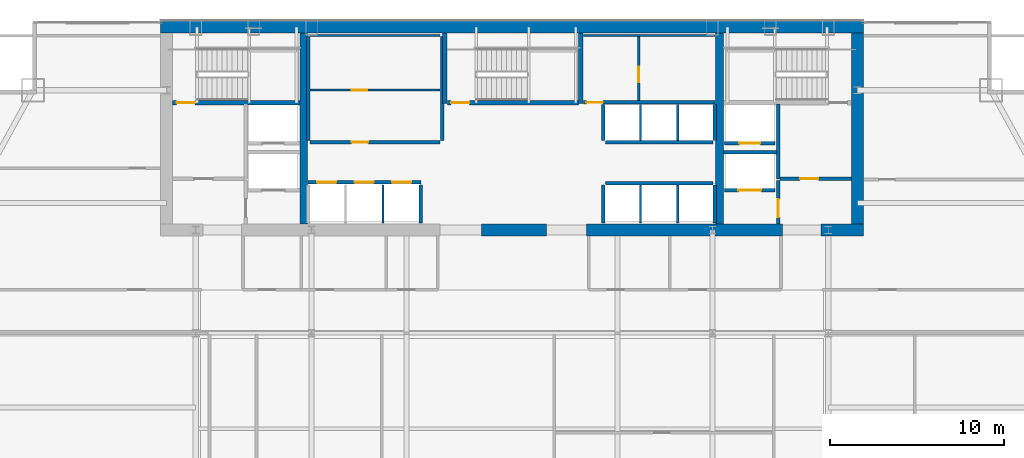
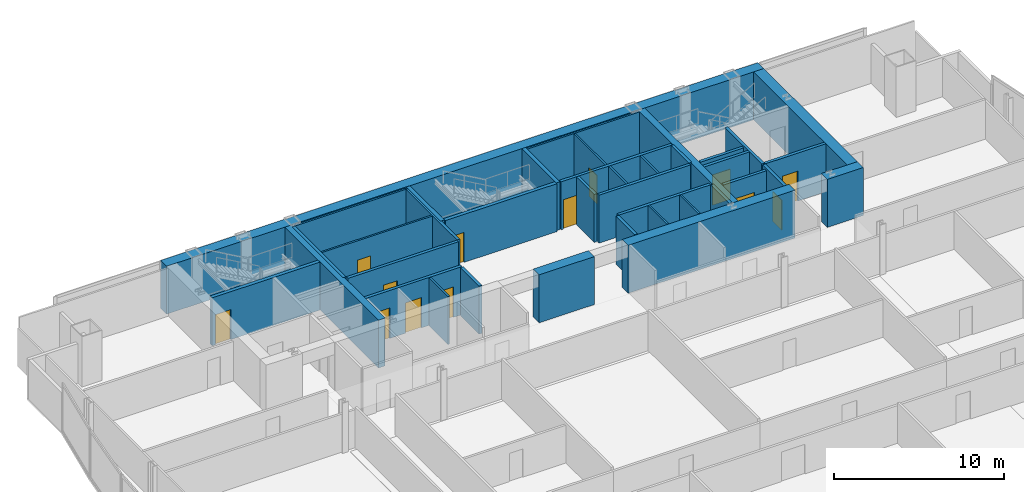
# One storey, part 26 of 29: 38 walls, 13 doors, 13 openings.
"""IFC4 building model written with IfcOpenShell, lengths in metres."""

from ifc_helpers import new_model, si_unit, direction, frame, frame_2d, origin, place, context, subcontext, project, spatial, rectangle, extrude, material, layer, layer_set, type_object, element, fill, save


model = new_model("IFC4")

# Units and contexts
model_context = context("Model", 3, precision=1e-05, world=origin(), true_north=direction((0.0, 1.0)))
body_context = subcontext(model_context, "Body", "Model", "MODEL_VIEW")
ifc_project = project(units=[si_unit("LENGTHUNIT", "METRE"), si_unit("AREAUNIT", "SQUARE_METRE"), si_unit("VOLUMEUNIT", "CUBIC_METRE"), si_unit("PLANEANGLEUNIT", "RADIAN"), si_unit("MASSUNIT", "GRAM", prefix="KILO")], contexts=[model_context])

# Site, building, storey
site_placement = place(None, origin())
site = spatial("IfcSite", under=ifc_project, at=site_placement, CompositionType="ELEMENT")
building_placement = place(site_placement, origin())
building = spatial("IfcBuilding", under=site, at=building_placement, Name="Khoronbel Lancet Exchange", CompositionType="ELEMENT")
storey_placement = place(building_placement, frame((0.0, 0.0, 154.199951171875)))
storey = spatial("IfcBuildingStorey", under=building, at=storey_placement, Name="L38", CompositionType="ELEMENT", Elevation=154.199951171875)

# Walls
ifc_material_1 = material(Name="Concrete C80/95", Category="concrete")
ifc_layer_1 = layer(ifc_material_1, 0.699951171875, Name="Concrete C80/95")
ifc_layer_set_1 = layer_set([ifc_layer_1], Name="Concrete C80/95")
wall_type_1 = type_object("IfcWallType", Name="WL-CW2", PredefinedType="SHEAR", material=ifc_layer_set_1)
wall_1_placement = place(storey_placement, frame((16.199951171875, 53.35009765625, 0.0), z_axis=(0.0, 0.0, 1.0), x_axis=(1.0, 0.0, 0.0)))
element("IfcWall", 1, at=wall_1_placement, inside=storey, type_object=wall_type_1, Name="Level L38 rear core north shear wall", PredefinedType="SHEAR", context=body_context, shape_type="SweptSolid", body=[
    extrude(rectangle(XDim=40.5, YDim=0.699951171875, at=frame_2d((20.25, 0.0))), origin(), (0.0, 0.0, 1.0), 3.43994140625),
])
wall_2_placement = place(storey_placement, frame((56.35009765625, 53.0, 0.0), z_axis=(0.0, 0.0, 1.0), x_axis=(0.0, -1.0, 0.0)))
element("IfcWall", 2, at=wall_2_placement, inside=storey, type_object=wall_type_1, Name="Level L38 rear core east shear wall", PredefinedType="SHEAR", context=body_context, shape_type="SweptSolid", body=[
    extrude(rectangle(XDim=11.0, YDim=0.699951171875, at=frame_2d((5.5, 0.0))), origin(), (0.0, 0.0, 1.0), 3.43994140625),
])
wall_3_placement = place(storey_placement, frame((38.449951171875, 41.64990234375, 0.0), z_axis=(0.0, 0.0, 1.0), x_axis=(-1.0, 0.0, 0.0)))
element("IfcWall", 3, at=wall_3_placement, inside=storey, type_object=wall_type_1, Name="Level L38 rear core south shear wall pier P3", PredefinedType="SHEAR", context=body_context, shape_type="SweptSolid", body=[
    extrude(rectangle(XDim=3.75, YDim=0.699951171875, at=frame_2d((1.875, 0.0))), origin(), (0.0, 0.0, 1.0), 3.43994140625),
])
wall_4_placement = place(storey_placement, frame((52.050048828125, 41.64990234375, 0.0), z_axis=(0.0, 0.0, 1.0), x_axis=(-1.0, 0.0, 0.0)))
element("IfcWall", 4, at=wall_4_placement, inside=storey, type_object=wall_type_1, Name="Level L38 rear core south shear wall pier P4", PredefinedType="SHEAR", context=body_context, shape_type="SweptSolid", body=[
    extrude(rectangle(XDim=11.300048828125, YDim=0.699951171875, at=frame_2d((5.64990234375, 0.0))), origin(), (0.0, 0.0, 1.0), 3.43994140625),
])
wall_5_placement = place(storey_placement, frame((56.699951171875, 41.64990234375, 0.0), z_axis=(0.0, 0.0, 1.0), x_axis=(-1.0, 0.0, 0.0)))
element("IfcWall", 5, at=wall_5_placement, inside=storey, type_object=wall_type_1, Name="Level L38 rear core south shear wall pier P5", PredefinedType="SHEAR", context=body_context, shape_type="SweptSolid", body=[
    extrude(rectangle(XDim=2.449951171875, YDim=0.699951171875, at=frame_2d((1.22509765625, 0.0))), origin(), (0.0, 0.0, 1.0), 3.43994140625),
])
ifc_material_2 = material(Name="Fire-Rated Metal-Stud & Mineral-Wool Gypsum Partition 120 mm", Category="gypsum")
ifc_layer_2 = layer(ifc_material_2, 0.1201171875, Name="Fire-Rated Metal-Stud & Mineral-Wool Gypsum Partition 120 mm")
ifc_layer_set_2 = layer_set([ifc_layer_2], Name="Fire-Rated Metal-Stud & Mineral-Wool Gypsum Partition 120 mm")
wall_type_2 = type_object("IfcWallType", Name="WL-PRT120F", PredefinedType="PARTITIONING", material=ifc_layer_set_2)
wall_6_placement = place(storey_placement, frame((24.804931640625, 52.860107421875, 0.0), z_axis=(0.0, 0.0, 1.0), x_axis=(1.0, 0.0, 0.0)))
element("IfcWall", 6, at=wall_6_placement, inside=storey, type_object=wall_type_2, Name="Level L38 interior partition CW-PL-RN", PredefinedType="PARTITIONING", context=body_context, shape_type="SweptSolid", body=[
    extrude(rectangle(XDim=7.510009765625, YDim=0.1201171875, at=frame_2d((3.7548828125, 0.0))), origin(), (0.0, 0.0, 1.0), 3.43994140625),
])

# Wall, opening, door
wall_7_placement = place(storey_placement, frame((24.804931640625, 49.708740234375, 0.0), z_axis=(0.0, 0.0, 1.0), x_axis=(1.0, 0.0, 0.0)))
wall_7 = element("IfcWall", 7, at=wall_7_placement, inside=storey, type_object=wall_type_2, Name="Level L38 interior partition CW-PL-RH", PredefinedType="PARTITIONING", context=body_context, shape_type="SweptSolid", body=[
    extrude(rectangle(XDim=7.510009765625, YDim=0.1201171875, at=frame_2d((3.7548828125, 0.0))), origin(), (0.0, 0.0, 1.0), 3.43994140625),
])
opening_1_placement = place(wall_7_placement, frame((2.39990234375, 0.0, 0.0)))
opening_1 = element("IfcOpeningElement", 8, at=opening_1_placement, cuts=wall_7, Name="Opening FD4", PredefinedType="OPENING", context=body_context, shape_type="SweptSolid", body=[
    extrude(rectangle(XDim=0.89990234375, YDim=2.050048828125, at=frame_2d((0.449951171875, 1.02490234375))), frame((0.0, 0.070068359375, 0.0), z_axis=(0.0, -1.0, 0.0), x_axis=(1.0, 0.0, 0.0)), (0.0, 0.0, 1.0), 0.14013671875),
])
ifc_material_3 = material(Name="Fire-Rated Steel Core Support Door Assembly", Category="steel")
door_type_1 = type_object("IfcDoorType", Name="DR-FD4", OperationType="NOTDEFINED", PredefinedType="DOOR", material=ifc_material_3)
door_1_placement = place(opening_1_placement, origin())
door_1 = element("IfcDoor", 9, at=door_1_placement, inside=storey, type_object=door_type_1, Name="Core PL inner store door L38-1", OperationType="SINGLE_SWING_LEFT", OverallHeight=2.050048828125, OverallWidth=0.89990234375, PredefinedType="DOOR", context=body_context, shape_type="SweptSolid", body=[
    extrude(rectangle(XDim=0.89990234375, YDim=2.050048828125, at=frame_2d((0.449951171875, 1.02490234375))), frame((0.0, 0.02490234375, 0.0), z_axis=(0.0, -1.0, 0.0), x_axis=(1.0, 0.0, 0.0)), (0.0, 0.0, 1.0), 0.050048828125),
])
fill(opening_1, door_1)

# Walls
wall_8_placement = place(storey_placement, frame((29.02001953125, 42.050048828125, 0.0), z_axis=(0.0, 0.0, 1.0), x_axis=(0.0, 1.0, 0.0)))
element("IfcWall", 10, at=wall_8_placement, inside=storey, type_object=wall_type_2, Name="Level L38 interior partition CW-PM-D2", PredefinedType="PARTITIONING", context=body_context, shape_type="SweptSolid", body=[
    extrude(rectangle(XDim=2.199951171875, YDim=0.1201171875, at=frame_2d((1.10009765625, 0.0))), origin(), (0.0, 0.0, 1.0), 3.43994140625),
])
for number, where, z_axis, x_axis, name in (
    (11, (43.860107421875, 46.804931640625, 0.0), (0.0, 0.0, 1.0), (0.0, 1.0, 0.0), "Level L38 interior partition CW-PH-D1"),
    (12, (46.0, 46.804931640625, 0.0), (0.0, 0.0, 1.0), (0.0, 1.0, 0.0), "Level L38 interior partition CW-PH-D2"),
):
    element("IfcWall", number, at=place(storey_placement, frame(where, z_axis=z_axis, x_axis=x_axis)), inside=storey, type_object=wall_type_2, Name=name, PredefinedType="PARTITIONING", context=body_context, shape_type="SweptSolid", body=[
        extrude(rectangle(XDim=2.090087890625, YDim=0.1201171875, at=frame_2d((1.044921875, 0.0))), origin(), (0.0, 0.0, 1.0), 3.43994140625),
    ])
for number, where, z_axis, x_axis, name in (
    (13, (43.860107421875, 42.050048828125, 0.0), (0.0, 0.0, 1.0), (0.0, 1.0, 0.0), "Level L38 interior partition CW-PX-D1"),
    (14, (46.0, 42.050048828125, 0.0), (0.0, 0.0, 1.0), (0.0, 1.0, 0.0), "Level L38 interior partition CW-PX-D2"),
):
    element("IfcWall", number, at=place(storey_placement, frame(where, z_axis=z_axis, x_axis=x_axis)), inside=storey, type_object=wall_type_2, Name=name, PredefinedType="PARTITIONING", context=body_context, shape_type="SweptSolid", body=[
        extrude(rectangle(XDim=2.195068359375, YDim=0.1201171875, at=frame_2d((1.09765625, 0.0))), origin(), (0.0, 0.0, 1.0), 3.43994140625),
    ])
wall_9_placement = place(storey_placement, frame((40.580078125, 52.860107421875, 0.0), z_axis=(0.0, 0.0, 1.0), x_axis=(1.0, 0.0, 0.0)))
element("IfcWall", 15, at=wall_9_placement, inside=storey, type_object=wall_type_2, Name="Level L38 interior partition CW-SUP-NE-N", PredefinedType="PARTITIONING", context=body_context, shape_type="SweptSolid", body=[
    extrude(rectangle(XDim=7.559814453125, YDim=0.1201171875, at=frame_2d((3.77978515625, 0.0))), origin(), (0.0, 0.0, 1.0), 3.43994140625),
])

# Wall, opening, door
wall_10_placement = place(storey_placement, frame((43.755126953125, 49.10498046875, 0.0), z_axis=(0.0, 0.0, 1.0), x_axis=(0.0, 1.0, 0.0)))
wall_10 = element("IfcWall", 16, at=wall_10_placement, inside=storey, type_object=wall_type_2, Name="Level L38 interior partition CW-SUP-NE-M", PredefinedType="PARTITIONING", context=body_context, shape_type="SweptSolid", body=[
    extrude(rectangle(XDim=3.68994140625, YDim=0.1201171875, at=frame_2d((1.844970703125, 0.0))), origin(), (0.0, 0.0, 1.0), 3.43994140625),
])
opening_2_placement = place(wall_10_placement, frame((1.050048828125, 0.0, 0.0)))
opening_2 = element("IfcOpeningElement", 17, at=opening_2_placement, cuts=wall_10, Name="Opening FD4", PredefinedType="OPENING", context=body_context, shape_type="SweptSolid", body=[
    extrude(rectangle(XDim=0.89990234375, YDim=2.050048828125, at=frame_2d((0.449951171875, 1.02490234375))), frame((0.0, 0.070068359375, 0.0), z_axis=(0.0, -1.0, 0.0), x_axis=(1.0, 0.0, 0.0)), (0.0, 0.0, 1.0), 0.14013671875),
])
door_2_placement = place(opening_2_placement, origin())
door_2 = element("IfcDoor", 18, at=door_2_placement, inside=storey, type_object=door_type_1, Name="Core NE inner support door L38-1", OperationType="SINGLE_SWING_RIGHT", OverallHeight=2.050048828125, OverallWidth=0.89990234375, PredefinedType="DOOR", context=body_context, shape_type="SweptSolid", body=[
    extrude(rectangle(XDim=0.89990234375, YDim=2.050048828125, at=frame_2d((0.449951171875, 1.02490234375))), frame((0.0, 0.02490234375, 0.0), z_axis=(0.0, -1.0, 0.0), x_axis=(1.0, 0.0, 0.0)), (0.0, 0.0, 1.0), 0.050048828125),
])
fill(opening_2, door_2)

# Wall, openings, doors
ifc_material_4 = material(Name="Autoclaved Aerated Concrete Blockwork 200 mm", Category="masonry")
ifc_layer_3 = layer(ifc_material_4, 0.199951171875, Name="Autoclaved Aerated Concrete Blockwork 200 mm")
ifc_layer_set_3 = layer_set([ifc_layer_3], Name="Autoclaved Aerated Concrete Blockwork 200 mm")
wall_type_3 = type_object("IfcWallType", Name="WL-PRT200", PredefinedType="PARTITIONING", material=ifc_layer_set_3)
wall_11_placement = place(storey_placement, frame((24.68994140625, 44.39990234375, 0.0), z_axis=(0.0, 0.0, 1.0), x_axis=(1.0, 0.0, 0.0)))
wall_11 = element("IfcWall", 19, at=wall_11_placement, inside=storey, type_object=wall_type_3, Name="Level L38 elevator hoistway landing front wall PMW", PredefinedType="PARTITIONING", context=body_context, shape_type="SweptSolid", body=[
    extrude(rectangle(XDim=6.530029296875, YDim=0.199951171875, at=frame_2d((3.26513671875, 0.0))), origin(), (0.0, 0.0, 1.0), 3.43994140625),
])
opening_3_placement = place(wall_11_placement, frame((0.530029296875, 0.0, 0.0)))
opening_3 = element("IfcOpeningElement", 20, at=opening_3_placement, cuts=wall_11, Name="Opening LD-PM1", PredefinedType="OPENING", context=body_context, shape_type="SweptSolid", body=[
    extrude(rectangle(XDim=1.10009765625, YDim=2.179931640625, at=frame_2d((0.550048828125, 1.08984375))), frame((0.0, 0.10986328125, 0.0), z_axis=(0.0, -1.0, 0.0), x_axis=(1.0, 0.0, 0.0)), (0.0, 0.0, 1.0), 0.219970703125),
])
opening_4_placement = place(wall_11_placement, frame((2.68994140625, 0.0, 0.0)))
opening_4 = element("IfcOpeningElement", 21, at=opening_4_placement, cuts=wall_11, Name="Opening LD-PM2", PredefinedType="OPENING", context=body_context, shape_type="SweptSolid", body=[
    extrude(rectangle(XDim=1.10009765625, YDim=2.179931640625, at=frame_2d((0.550048828125, 1.08984375))), frame((0.0, 0.10986328125, 0.0), z_axis=(0.0, -1.0, 0.0), x_axis=(1.0, 0.0, 0.0)), (0.0, 0.0, 1.0), 0.219970703125),
])
opening_5_placement = place(wall_11_placement, frame((4.85009765625, 0.0, 0.0)))
opening_5 = element("IfcOpeningElement", 22, at=opening_5_placement, cuts=wall_11, Name="Opening LD-PM3", PredefinedType="OPENING", context=body_context, shape_type="SweptSolid", body=[
    extrude(rectangle(XDim=1.10009765625, YDim=2.179931640625, at=frame_2d((0.550048828125, 1.08984375))), frame((0.0, 0.10986328125, 0.0), z_axis=(0.0, -1.0, 0.0), x_axis=(1.0, 0.0, 0.0)), (0.0, 0.0, 1.0), 0.219970703125),
])
ifc_material_5 = material(Name="Brushed Bronze Bi-Parting Elevator Landing Door", Category="steel")
door_type_2 = type_object("IfcDoorType", Name="DR-LD-PAX", OperationType="NOTDEFINED", PredefinedType="DOOR", material=ifc_material_5)
door_3_placement = place(opening_3_placement, origin())
door_3 = element("IfcDoor", 23, at=door_3_placement, inside=storey, type_object=door_type_2, Name="Elevator landing sliding door LD-PM1 L38", OperationType="SLIDING_TO_LEFT", OverallHeight=2.179931640625, OverallWidth=1.10009765625, PredefinedType="DOOR", context=body_context, shape_type="SweptSolid", body=[
    extrude(rectangle(XDim=1.10009765625, YDim=2.179931640625, at=frame_2d((0.550048828125, 1.08984375))), frame((0.0, 0.02490234375, 0.0), z_axis=(0.0, -1.0, 0.0), x_axis=(1.0, 0.0, 0.0)), (0.0, 0.0, 1.0), 0.050048828125),
])
fill(opening_3, door_3)
door_4_placement = place(opening_4_placement, origin())
door_4 = element("IfcDoor", 24, at=door_4_placement, inside=storey, type_object=door_type_2, Name="Elevator landing sliding door LD-PM2 L38", OperationType="SLIDING_TO_LEFT", OverallHeight=2.179931640625, OverallWidth=1.10009765625, PredefinedType="DOOR", context=body_context, shape_type="SweptSolid", body=[
    extrude(rectangle(XDim=1.10009765625, YDim=2.179931640625, at=frame_2d((0.550048828125, 1.08984375))), frame((0.0, 0.02490234375, 0.0), z_axis=(0.0, -1.0, 0.0), x_axis=(1.0, 0.0, 0.0)), (0.0, 0.0, 1.0), 0.050048828125),
])
fill(opening_4, door_4)
door_5_placement = place(opening_5_placement, origin())
door_5 = element("IfcDoor", 25, at=door_5_placement, inside=storey, type_object=door_type_2, Name="Elevator landing sliding door LD-PM3 L38", OperationType="SLIDING_TO_LEFT", OverallHeight=2.179931640625, OverallWidth=1.10009765625, PredefinedType="DOOR", context=body_context, shape_type="SweptSolid", body=[
    extrude(rectangle(XDim=1.10009765625, YDim=2.179931640625, at=frame_2d((0.550048828125, 1.08984375))), frame((0.0, 0.02490234375, 0.0), z_axis=(0.0, -1.0, 0.0), x_axis=(1.0, 0.0, 0.0)), (0.0, 0.0, 1.0), 0.050048828125),
])
fill(opening_5, door_5)

# Wall, opening, door
wall_12_placement = place(storey_placement, frame((51.610107421875, 43.949951171875, 0.0), z_axis=(0.0, 0.0, 1.0), x_axis=(-1.0, 0.0, 0.0)))
wall_12 = element("IfcWall", 26, at=wall_12_placement, inside=storey, type_object=wall_type_3, Name="Level L38 elevator hoistway landing front wall SVLE", PredefinedType="PARTITIONING", context=body_context, shape_type="SweptSolid", body=[
    extrude(rectangle(XDim=2.920166015625, YDim=0.199951171875, at=frame_2d((1.4599609375, 0.0))), origin(), (0.0, 0.0, 1.0), 3.43994140625),
])
opening_6_placement = place(wall_12_placement, frame((0.81005859375, 0.0, 0.0)))
opening_6 = element("IfcOpeningElement", 27, at=opening_6_placement, cuts=wall_12, Name="Opening LD-SVL2", PredefinedType="OPENING", context=body_context, shape_type="SweptSolid", body=[
    extrude(rectangle(XDim=1.300048828125, YDim=2.179931640625, at=frame_2d((0.64990234375, 1.08984375))), frame((0.0, 0.10986328125, 0.0), z_axis=(0.0, -1.0, 0.0), x_axis=(1.0, 0.0, 0.0)), (0.0, 0.0, 1.0), 0.219970703125),
])
ifc_material_6 = material(Name="Heavy-Duty Bi-Parting Goods Lift Landing Door", Category="steel")
door_type_3 = type_object("IfcDoorType", Name="DR-LD-SVL", OperationType="NOTDEFINED", PredefinedType="DOOR", material=ifc_material_6)
door_6_placement = place(opening_6_placement, origin())
door_6 = element("IfcDoor", 28, at=door_6_placement, inside=storey, type_object=door_type_3, Name="Elevator landing sliding door LD-SVL2 L38", OperationType="SLIDING_TO_LEFT", OverallHeight=2.179931640625, OverallWidth=1.300048828125, PredefinedType="DOOR", context=body_context, shape_type="SweptSolid", body=[
    extrude(rectangle(XDim=1.300048828125, YDim=2.179931640625, at=frame_2d((0.64990234375, 1.08984375))), frame((0.0, 0.02490234375, 0.0), z_axis=(0.0, -1.0, 0.0), x_axis=(1.0, 0.0, 0.0)), (0.0, 0.0, 1.0), 0.050048828125),
])
fill(opening_6, door_6)

wall_13_placement = place(storey_placement, frame((51.610107421875, 46.64990234375, 0.0), z_axis=(0.0, 0.0, 1.0), x_axis=(-1.0, 0.0, 0.0)))
wall_13 = element("IfcWall", 29, at=wall_13_placement, inside=storey, type_object=wall_type_3, Name="Level L38 elevator hoistway landing front wall FFLE", PredefinedType="PARTITIONING", context=body_context, shape_type="SweptSolid", body=[
    extrude(rectangle(XDim=2.920166015625, YDim=0.199951171875, at=frame_2d((1.4599609375, 0.0))), origin(), (0.0, 0.0, 1.0), 3.43994140625),
])
opening_7_placement = place(wall_13_placement, frame((0.860107421875, 0.0, 0.0)))
opening_7 = element("IfcOpeningElement", 30, at=opening_7_placement, cuts=wall_13, Name="Opening LD-FFL2", PredefinedType="OPENING", context=body_context, shape_type="SweptSolid", body=[
    extrude(rectangle(XDim=1.199951171875, YDim=2.179931640625, at=frame_2d((0.60009765625, 1.08984375))), frame((0.0, 0.10986328125, 0.0), z_axis=(0.0, -1.0, 0.0), x_axis=(1.0, 0.0, 0.0)), (0.0, 0.0, 1.0), 0.219970703125),
])
ifc_material_7 = material(Name="Fire-Rated Stainless Bi-Parting Firefighting Lift Door", Category="steel")
door_type_4 = type_object("IfcDoorType", Name="DR-LD-FFL", OperationType="NOTDEFINED", PredefinedType="DOOR", material=ifc_material_7)
door_7_placement = place(opening_7_placement, origin())
door_7 = element("IfcDoor", 31, at=door_7_placement, inside=storey, type_object=door_type_4, Name="Elevator landing sliding door LD-FFL2 L38", OperationType="SLIDING_TO_LEFT", OverallHeight=2.179931640625, OverallWidth=1.199951171875, PredefinedType="DOOR", context=body_context, shape_type="SweptSolid", body=[
    extrude(rectangle(XDim=1.199951171875, YDim=2.179931640625, at=frame_2d((0.60009765625, 1.08984375))), frame((0.0, 0.02490234375, 0.0), z_axis=(0.0, -1.0, 0.0), x_axis=(1.0, 0.0, 0.0)), (0.0, 0.0, 1.0), 0.050048828125),
])
fill(opening_7, door_7)

# Wall
wall_14_placement = place(storey_placement, frame((51.800048828125, 44.60009765625, 0.0), z_axis=(0.0, 0.0, 1.0), x_axis=(0.0, 1.0, 0.0)))
element("IfcWall", 32, at=wall_14_placement, inside=storey, type_object=wall_type_3, Name="Level L38 interior partition CW-FFLE-W", PredefinedType="PARTITIONING", context=body_context, shape_type="SweptSolid", body=[
    extrude(rectangle(XDim=4.2998046875, YDim=0.199951171875, at=frame_2d((2.14990234375, 0.0))), origin(), (0.0, 0.0, 1.0), 3.43994140625),
])

# Wall, opening, door
wall_15_placement = place(storey_placement, frame((51.89990234375, 44.60009765625, 0.0), z_axis=(0.0, 0.0, 1.0), x_axis=(1.0, 0.0, 0.0)))
wall_15 = element("IfcWall", 33, at=wall_15_placement, inside=storey, type_object=wall_type_3, Name="Level L38 interior partition CW-FFLE-S", PredefinedType="PARTITIONING", context=body_context, shape_type="SweptSolid", body=[
    extrude(rectangle(XDim=4.10009765625, YDim=0.199951171875, at=frame_2d((2.050048828125, 0.0))), origin(), (0.0, 0.0, 1.0), 3.43994140625),
])
opening_8_placement = place(wall_15_placement, frame((1.14990234375, 0.0, 0.0)))
opening_8 = element("IfcOpeningElement", 34, at=opening_8_placement, cuts=wall_15, Name="Opening FD1", PredefinedType="OPENING", context=body_context, shape_type="SweptSolid", body=[
    extrude(rectangle(XDim=1.050048828125, YDim=2.14990234375, at=frame_2d((0.52490234375, 1.074951171875))), frame((0.0, 0.10986328125, 0.0), z_axis=(0.0, -1.0, 0.0), x_axis=(1.0, 0.0, 0.0)), (0.0, 0.0, 1.0), 0.219970703125),
])
ifc_material_8 = material(Name="Fire-Rated Painted Steel Door Assembly", Category="steel")
door_type_5 = type_object("IfcDoorType", Name="DR-FD1", OperationType="NOTDEFINED", PredefinedType="DOOR", material=ifc_material_8)
door_8_placement = place(opening_8_placement, origin())
door_8 = element("IfcDoor", 35, at=door_8_placement, inside=storey, type_object=door_type_5, Name="East firefighting lobby FD90S door L38-1", OperationType="SINGLE_SWING_LEFT", OverallHeight=2.14990234375, OverallWidth=1.050048828125, PredefinedType="DOOR", context=body_context, shape_type="SweptSolid", body=[
    extrude(rectangle(XDim=1.050048828125, YDim=2.14990234375, at=frame_2d((0.52490234375, 1.074951171875))), frame((0.0, 0.02490234375, 0.0), z_axis=(0.0, -1.0, 0.0), x_axis=(1.0, 0.0, 0.0)), (0.0, 0.0, 1.0), 0.050048828125),
])
fill(opening_8, door_8)

# Wall
wall_16_placement = place(storey_placement, frame((48.6298828125, 46.1201171875, 0.0), z_axis=(0.0, 0.0, 1.0), x_axis=(1.0, 0.0, 0.0)))
element("IfcWall", 36, at=wall_16_placement, inside=storey, type_object=wall_type_3, Name="Level L38 interior partition CW-FFL2-S", PredefinedType="PARTITIONING", context=body_context, shape_type="SweptSolid", body=[
    extrude(rectangle(XDim=3.070068359375, YDim=0.199951171875, at=frame_2d((1.53515625, 0.0))), origin(), (0.0, 0.0, 1.0), 3.43994140625),
])

# Wall, opening, door
wall_17_placement = place(storey_placement, frame((51.800048828125, 42.0, 0.0), z_axis=(0.0, 0.0, 1.0), x_axis=(0.0, 1.0, 0.0)))
wall_17 = element("IfcWall", 37, at=wall_17_placement, inside=storey, type_object=wall_type_3, Name="Level L38 interior partition CW-SVLE-E", PredefinedType="PARTITIONING", context=body_context, shape_type="SweptSolid", body=[
    extrude(rectangle(XDim=2.4951171875, YDim=0.199951171875, at=frame_2d((1.24755859375, 0.0))), origin(), (0.0, 0.0, 1.0), 3.43994140625),
])
opening_9_placement = place(wall_17_placement, frame((0.3798828125, 0.0, 0.0)))
opening_9 = element("IfcOpeningElement", 38, at=opening_9_placement, cuts=wall_17, Name="Opening FD1", PredefinedType="OPENING", context=body_context, shape_type="SweptSolid", body=[
    extrude(rectangle(XDim=1.050048828125, YDim=2.14990234375, at=frame_2d((0.52490234375, 1.074951171875))), frame((0.0, 0.10986328125, 0.0), z_axis=(0.0, -1.0, 0.0), x_axis=(1.0, 0.0, 0.0)), (0.0, 0.0, 1.0), 0.219970703125),
])
door_9_placement = place(opening_9_placement, origin())
door_9 = element("IfcDoor", 39, at=door_9_placement, inside=storey, type_object=door_type_5, Name="East service lift lobby door L38-1", OperationType="SINGLE_SWING_RIGHT", OverallHeight=2.14990234375, OverallWidth=1.050048828125, PredefinedType="DOOR", context=body_context, shape_type="SweptSolid", body=[
    extrude(rectangle(XDim=1.050048828125, YDim=2.14990234375, at=frame_2d((0.52490234375, 1.074951171875))), frame((0.0, 0.02490234375, 0.0), z_axis=(0.0, -1.0, 0.0), x_axis=(1.0, 0.0, 0.0)), (0.0, 0.0, 1.0), 0.050048828125),
])
fill(opening_9, door_9)

# Walls
for number, where, z_axis, x_axis, name in (
    (40, (24.699951171875, 46.804931640625, 0.0), (0.0, 0.0, 1.0), (0.0, 1.0, 0.0), "Level L38 interior partition CW-PL-RW"),
    (41, (32.419921875, 46.804931640625, 0.0), (0.0, 0.0, 1.0), (0.0, 1.0, 0.0), "Level L38 interior partition CW-PL-RE"),
):
    element("IfcWall", number, at=place(storey_placement, frame(where, z_axis=z_axis, x_axis=x_axis)), inside=storey, type_object=wall_type_3, Name=name, PredefinedType="PARTITIONING", context=body_context, shape_type="SweptSolid", body=[
        extrude(rectangle(XDim=5.989990234375, YDim=0.199951171875, at=frame_2d((2.9951171875, 0.0))), origin(), (0.0, 0.0, 1.0), 3.43994140625),
    ])

# Wall, opening, door
wall_18_placement = place(storey_placement, frame((24.804931640625, 46.699951171875, 0.0), z_axis=(0.0, 0.0, 1.0), x_axis=(1.0, 0.0, 0.0)))
wall_18 = element("IfcWall", 42, at=wall_18_placement, inside=storey, type_object=wall_type_3, Name="Level L38 interior partition CW-PL-RF", PredefinedType="PARTITIONING", context=body_context, shape_type="SweptSolid", body=[
    extrude(rectangle(XDim=7.510009765625, YDim=0.199951171875, at=frame_2d((3.7548828125, 0.0))), origin(), (0.0, 0.0, 1.0), 3.43994140625),
])
opening_10_placement = place(wall_18_placement, frame((2.39990234375, 0.0, 0.0)))
opening_10 = element("IfcOpeningElement", 43, at=opening_10_placement, cuts=wall_18, Name="Opening FD3", PredefinedType="OPENING", context=body_context, shape_type="SweptSolid", body=[
    extrude(rectangle(XDim=0.949951171875, YDim=2.10009765625, at=frame_2d((0.47509765625, 1.050048828125))), frame((0.0, 0.10986328125, 0.0), z_axis=(0.0, -1.0, 0.0), x_axis=(1.0, 0.0, 0.0)), (0.0, 0.0, 1.0), 0.219970703125),
])
ifc_material_9 = material(Name="Fire-Rated Steel Plant & Riser Door Assembly", Category="steel")
door_type_6 = type_object("IfcDoorType", Name="DR-FD3", OperationType="NOTDEFINED", PredefinedType="DOOR", material=ifc_material_9)
door_10_placement = place(opening_10_placement, origin())
door_10 = element("IfcDoor", 44, at=door_10_placement, inside=storey, type_object=door_type_6, Name="Core PL merged gallery room door L38-1", OperationType="SINGLE_SWING_RIGHT", OverallHeight=2.10009765625, OverallWidth=0.949951171875, PredefinedType="DOOR", context=body_context, shape_type="SweptSolid", body=[
    extrude(rectangle(XDim=0.949951171875, YDim=2.10009765625, at=frame_2d((0.47509765625, 1.050048828125))), frame((0.0, 0.02490234375, 0.0), z_axis=(0.0, -1.0, 0.0), x_axis=(1.0, 0.0, 0.0)), (0.0, 0.0, 1.0), 0.050048828125),
])
fill(opening_10, door_10)

# Walls
wall_19_placement = place(storey_placement, frame((31.179931640625, 42.050048828125, 0.0), z_axis=(0.0, 0.0, 1.0), x_axis=(0.0, 1.0, 0.0)))
element("IfcWall", 45, at=wall_19_placement, inside=storey, type_object=wall_type_3, Name="Level L38 interior partition CW-PM-E", PredefinedType="PARTITIONING", context=body_context, shape_type="SweptSolid", body=[
    extrude(rectangle(XDim=2.199951171875, YDim=0.199951171875, at=frame_2d((1.10009765625, 0.0))), origin(), (0.0, 0.0, 1.0), 3.43994140625),
])
wall_20_placement = place(storey_placement, frame((41.824951171875, 46.699951171875, 0.0), z_axis=(0.0, 0.0, 1.0), x_axis=(1.0, 0.0, 0.0)))
element("IfcWall", 46, at=wall_20_placement, inside=storey, type_object=wall_type_3, Name="Level L38 interior partition CW-PH-EXP", PredefinedType="PARTITIONING", context=body_context, shape_type="SweptSolid", body=[
    extrude(rectangle(XDim=6.2099609375, YDim=0.199951171875, at=frame_2d((3.10498046875, 0.0))), origin(), (0.0, 0.0, 1.0), 3.43994140625),
])
for number, where, z_axis, x_axis, name in (
    (47, (41.719970703125, 46.804931640625, 0.0), (0.0, 0.0, 1.0), (0.0, 1.0, 0.0), "Level L38 interior partition CW-PH-W"),
    (48, (48.139892578125, 46.804931640625, 0.0), (0.0, 0.0, 1.0), (0.0, 1.0, 0.0), "Level L38 interior partition CW-PH-E"),
):
    element("IfcWall", number, at=place(storey_placement, frame(where, z_axis=z_axis, x_axis=x_axis)), inside=storey, type_object=wall_type_3, Name=name, PredefinedType="PARTITIONING", context=body_context, shape_type="SweptSolid", body=[
        extrude(rectangle(XDim=2.090087890625, YDim=0.199951171875, at=frame_2d((1.044921875, 0.0))), origin(), (0.0, 0.0, 1.0), 3.43994140625),
    ])
wall_21_placement = place(storey_placement, frame((41.824951171875, 44.35009765625, 0.0), z_axis=(0.0, 0.0, 1.0), x_axis=(1.0, 0.0, 0.0)))
element("IfcWall", 49, at=wall_21_placement, inside=storey, type_object=wall_type_3, Name="Level L38 interior partition CW-PX-EXP", PredefinedType="PARTITIONING", context=body_context, shape_type="SweptSolid", body=[
    extrude(rectangle(XDim=6.2099609375, YDim=0.199951171875, at=frame_2d((3.10498046875, 0.0))), origin(), (0.0, 0.0, 1.0), 3.43994140625),
])
for number, where, z_axis, x_axis, name in (
    (50, (41.719970703125, 42.050048828125, 0.0), (0.0, 0.0, 1.0), (0.0, 1.0, 0.0), "Level L38 interior partition CW-PX-W"),
    (51, (48.139892578125, 42.050048828125, 0.0), (0.0, 0.0, 1.0), (0.0, 1.0, 0.0), "Level L38 interior partition CW-PX-E"),
):
    element("IfcWall", number, at=place(storey_placement, frame(where, z_axis=z_axis, x_axis=x_axis)), inside=storey, type_object=wall_type_3, Name=name, PredefinedType="PARTITIONING", context=body_context, shape_type="SweptSolid", body=[
        extrude(rectangle(XDim=2.195068359375, YDim=0.199951171875, at=frame_2d((1.09765625, 0.0))), origin(), (0.0, 0.0, 1.0), 3.43994140625),
    ])

# Wall, opening, door
wall_22_placement = place(storey_placement, frame((40.580078125, 49.0, 0.0), z_axis=(0.0, 0.0, 1.0), x_axis=(1.0, 0.0, 0.0)))
wall_22 = element("IfcWall", 52, at=wall_22_placement, inside=storey, type_object=wall_type_3, Name="Level L38 interior partition CW-SUP-NE-S", PredefinedType="PARTITIONING", context=body_context, shape_type="SweptSolid", body=[
    extrude(rectangle(XDim=7.559814453125, YDim=0.199951171875, at=frame_2d((3.77978515625, 0.0))), origin(), (0.0, 0.0, 1.0), 3.43994140625),
])
opening_11_placement = place(wall_22_placement, frame((0.159912109375, 0.0, 0.0)))
opening_11 = element("IfcOpeningElement", 53, at=opening_11_placement, cuts=wall_22, Name="Opening FD3", PredefinedType="OPENING", context=body_context, shape_type="SweptSolid", body=[
    extrude(rectangle(XDim=0.949951171875, YDim=2.10009765625, at=frame_2d((0.47509765625, 1.050048828125))), frame((0.0, 0.10986328125, 0.0), z_axis=(0.0, -1.0, 0.0), x_axis=(1.0, 0.0, 0.0)), (0.0, 0.0, 1.0), 0.219970703125),
])
door_11_placement = place(opening_11_placement, origin())
door_11 = element("IfcDoor", 54, at=door_11_placement, inside=storey, type_object=door_type_6, Name="Core NE support room door L38-1", OperationType="SINGLE_SWING_LEFT", OverallHeight=2.10009765625, OverallWidth=0.949951171875, PredefinedType="DOOR", context=body_context, shape_type="SweptSolid", body=[
    extrude(rectangle(XDim=0.949951171875, YDim=2.10009765625, at=frame_2d((0.47509765625, 1.050048828125))), frame((0.0, 0.02490234375, 0.0), z_axis=(0.0, -1.0, 0.0), x_axis=(1.0, 0.0, 0.0)), (0.0, 0.0, 1.0), 0.050048828125),
])
fill(opening_11, door_11)

# Walls
ifc_layer_4 = layer(ifc_material_1, 0.449951171875, Name="Concrete C80/95")
ifc_layer_set_4 = layer_set([ifc_layer_4], Name="Concrete C80/95")
wall_type_4 = type_object("IfcWallType", Name="WL-SW1", PredefinedType="SHEAR", material=ifc_layer_set_4)
for number, where, z_axis, x_axis, name in (
    (55, (24.449951171875, 42.0, 0.0), (0.0, 0.0, 1.0), (0.0, 1.0, 0.0), "Level L38 rear core internal spine shear wall IW"),
    (56, (48.39990234375, 42.0, 0.0), (0.0, 0.0, 1.0), (0.0, 1.0, 0.0), "Level L38 rear core internal spine shear wall IE"),
):
    element("IfcWall", number, at=place(storey_placement, frame(where, z_axis=z_axis, x_axis=x_axis)), inside=storey, type_object=wall_type_4, Name=name, PredefinedType="SHEAR", context=body_context, shape_type="SweptSolid", body=[
        extrude(rectangle(XDim=11.0, YDim=0.449951171875, at=frame_2d((5.5, 0.0))), origin(), (0.0, 0.0, 1.0), 3.43994140625),
    ])
ifc_material_10 = material(Name="Concrete C60/75", Category="concrete")
ifc_layer_5 = layer(ifc_material_10, 0.260009765625, Name="Concrete C60/75")
ifc_layer_set_5 = layer_set([ifc_layer_5], Name="Concrete C60/75")
wall_type_5 = type_object("IfcWallType", Name="WL-SW3", PredefinedType="SHEAR", material=ifc_layer_set_5)
for number, where, z_axis, x_axis, name in (
    (57, (32.580078125, 48.949951171875, 0.0), (0.0, 0.0, 1.0), (0.0, 1.0, 0.0), "Level L38 central stairwell structural shear wall ST3W"),
    (58, (40.419921875, 48.949951171875, 0.0), (0.0, 0.0, 1.0), (0.0, 1.0, 0.0), "Level L38 central stairwell structural shear wall ST3E"),
):
    element("IfcWall", number, at=place(storey_placement, frame(where, z_axis=z_axis, x_axis=x_axis)), inside=storey, type_object=wall_type_5, Name=name, PredefinedType="SHEAR", context=body_context, shape_type="SweptSolid", body=[
        extrude(rectangle(XDim=4.050048828125, YDim=0.260009765625, at=frame_2d((2.02490234375, 0.0))), origin(), (0.0, 0.0, 1.0), 3.43994140625),
    ])

# Wall, opening, door
wall_23_placement = place(storey_placement, frame((16.89990234375, 48.97998046875, 0.0), z_axis=(0.0, 0.0, 1.0), x_axis=(1.0, 0.0, 0.0)))
wall_23 = element("IfcWall", 59, at=wall_23_placement, inside=storey, type_object=wall_type_5, Name="Level L38 west stairwell structural south wall", PredefinedType="SHEAR", context=body_context, shape_type="SweptSolid", body=[
    extrude(rectangle(XDim=7.320068359375, YDim=0.239990234375, at=frame_2d((3.66015625, 0.0))), origin(), (0.0, 0.0, 1.0), 3.43994140625),
])
opening_12_placement = place(wall_23_placement, frame((0.219970703125, 0.0, 0.0)))
opening_12 = element("IfcOpeningElement", 60, at=opening_12_placement, cuts=wall_23, Name="Opening SD1", PredefinedType="OPENING", context=body_context, shape_type="SweptSolid", body=[
    extrude(rectangle(XDim=1.050048828125, YDim=2.14990234375, at=frame_2d((0.52490234375, 1.074951171875))), frame((0.0, 0.1298828125, 0.0), z_axis=(0.0, -1.0, 0.0), x_axis=(1.0, 0.0, 0.0)), (0.0, 0.0, 1.0), 0.260009765625),
])
ifc_material_11 = material(Name="Fire-Rated Steel Stairwell Door Assembly", Category="steel")
door_type_7 = type_object("IfcDoorType", Name="DR-SD1", OperationType="NOTDEFINED", PredefinedType="DOOR", material=ifc_material_11)
door_12_placement = place(opening_12_placement, origin())
door_12 = element("IfcDoor", 61, at=door_12_placement, inside=storey, type_object=door_type_7, Name="Protected exit stair ST1 door L38", OperationType="SINGLE_SWING_LEFT", OverallHeight=2.14990234375, OverallWidth=1.050048828125, PredefinedType="DOOR", context=body_context, shape_type="SweptSolid", body=[
    extrude(rectangle(XDim=1.050048828125, YDim=2.14990234375, at=frame_2d((0.52490234375, 1.074951171875))), frame((0.0, 0.02490234375, 0.0), z_axis=(0.0, -1.0, 0.0), x_axis=(1.0, 0.0, 0.0)), (0.0, 0.0, 1.0), 0.050048828125),
])
fill(opening_12, door_12)

wall_24_placement = place(storey_placement, frame((32.719970703125, 48.97998046875, 0.0), z_axis=(0.0, 0.0, 1.0), x_axis=(1.0, 0.0, 0.0)))
wall_24 = element("IfcWall", 62, at=wall_24_placement, inside=storey, type_object=wall_type_5, Name="Level L38 central stairwell structural south wall", PredefinedType="SHEAR", context=body_context, shape_type="SweptSolid", body=[
    extrude(rectangle(XDim=7.56005859375, YDim=0.239990234375, at=frame_2d((3.780029296875, 0.0))), origin(), (0.0, 0.0, 1.0), 3.43994140625),
])
opening_13_placement = place(wall_24_placement, frame((0.219970703125, 0.0, 0.0)))
opening_13 = element("IfcOpeningElement", 63, at=opening_13_placement, cuts=wall_24, Name="Opening SD1", PredefinedType="OPENING", context=body_context, shape_type="SweptSolid", body=[
    extrude(rectangle(XDim=1.050048828125, YDim=2.14990234375, at=frame_2d((0.52490234375, 1.074951171875))), frame((0.0, 0.1298828125, 0.0), z_axis=(0.0, -1.0, 0.0), x_axis=(1.0, 0.0, 0.0)), (0.0, 0.0, 1.0), 0.260009765625),
])
door_13_placement = place(opening_13_placement, origin())
door_13 = element("IfcDoor", 64, at=door_13_placement, inside=storey, type_object=door_type_7, Name="Protected exit stair ST3 door L38", OperationType="SINGLE_SWING_LEFT", OverallHeight=2.14990234375, OverallWidth=1.050048828125, PredefinedType="DOOR", context=body_context, shape_type="SweptSolid", body=[
    extrude(rectangle(XDim=1.050048828125, YDim=2.14990234375, at=frame_2d((0.52490234375, 1.074951171875))), frame((0.0, 0.02490234375, 0.0), z_axis=(0.0, -1.0, 0.0), x_axis=(1.0, 0.0, 0.0)), (0.0, 0.0, 1.0), 0.050048828125),
])
fill(opening_13, door_13)

save(model, "model.ifc")
